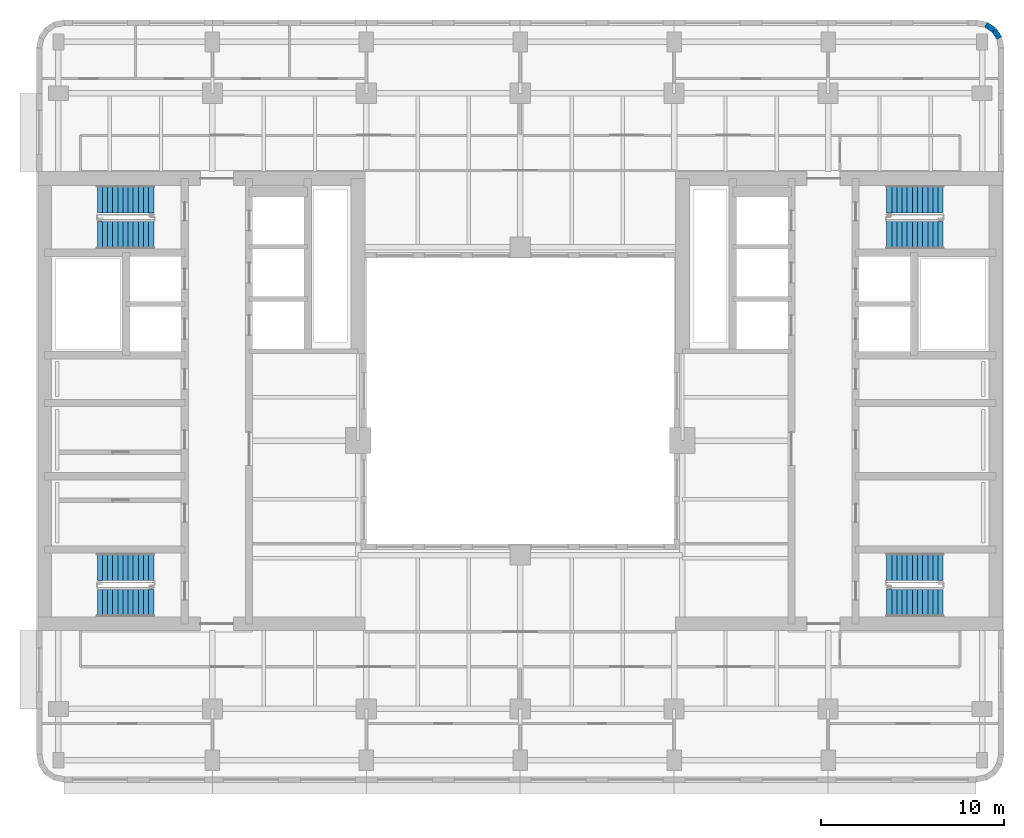
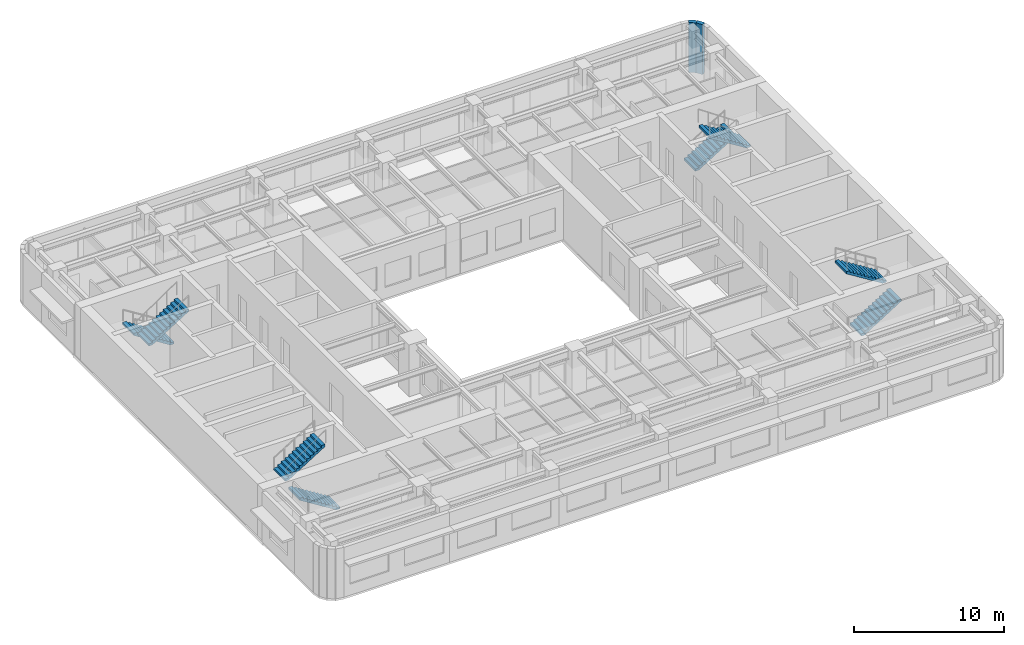
# One storey, part 8 of 11: 8 stair flights, 2 walls, 4 elements without a shape of their own.
"""IFC4 building model written with IfcOpenShell, lengths in metres."""

from ifc_helpers import new_model, si_unit, direction, frame, frame_2d, origin, place, context, subcontext, project, spatial, polyline, rectangle, outline, extrude, material, layer, layer_set, type_object, element, aggregate, save


model = new_model("IFC4")

# Units and contexts
model_context = context("Model", 3, precision=1e-05, world=origin(), true_north=direction((0.0, 1.0)))
body_context = subcontext(model_context, "Body", "Model", "MODEL_VIEW")
ifc_project = project(units=[si_unit("LENGTHUNIT", "METRE"), si_unit("AREAUNIT", "SQUARE_METRE"), si_unit("VOLUMEUNIT", "CUBIC_METRE"), si_unit("PLANEANGLEUNIT", "RADIAN"), si_unit("MASSUNIT", "GRAM", prefix="KILO")], contexts=[model_context])

# Site, building, storey
site_placement = place(None, origin())
site = spatial("IfcSite", under=ifc_project, at=site_placement, CompositionType="ELEMENT")
building_placement = place(site_placement, origin())
building = spatial("IfcBuilding", under=site, at=building_placement, Name="Claustro Exchange Tower", CompositionType="ELEMENT")
storey_placement = place(building_placement, frame((0.0, 0.0, 190.199951171875)))
storey = spatial("IfcBuildingStorey", under=building, at=storey_placement, Name="L43", CompositionType="ELEMENT", Elevation=190.199951171875)

# Walls
ifc_material_1 = material(Name="Concrete HA-40 (C40/50), precast, white cement, acid-etched", Category="concrete")
ifc_layer = layer(ifc_material_1, 0.300048828125)
ifc_layer_set = layer_set([ifc_layer], Name="Concrete HA-40 (C40/50), precast, white cement, acid-etched")
wall_type = type_object("IfcWallType", Name="PC1 300 precast concrete pier panel", PredefinedType="SOLIDWALL", material=ifc_layer_set)
wall_1_placement = place(storey_placement, frame((50.615478515625, 45.744384765625, 0.0), z_axis=(0.0, 0.0, 1.0), x_axis=(0.831692711774, -0.555236195849, 0.0)))
element("IfcWall", 1, at=wall_1_placement, inside=storey, type_object=wall_type, Name="Precast pier panel PC1 L43", PredefinedType="SOLIDWALL", context=body_context, shape_type="SweptSolid", body=[
    extrude(rectangle(XDim=0.525390625, YDim=0.300048828125, at=frame_2d((0.2626953125, 0.0))), origin(), (0.0, 0.0, 1.0), 4.050048828125),
])
wall_2_placement = place(storey_placement, frame((51.052490234375, 45.45263671875, 0.0), z_axis=(0.0, 0.0, 1.0), x_axis=(0.55534295404, -0.831621430339, 0.0)))
element("IfcWall", 2, at=wall_2_placement, inside=storey, type_object=wall_type, Name="Precast pier panel PC1 L43", PredefinedType="SOLIDWALL", context=body_context, shape_type="SweptSolid", body=[
    extrude(rectangle(XDim=0.52587890625, YDim=0.300048828125, at=frame_2d((0.262939453125, 0.0))), origin(), (0.0, 0.0, 1.0), 4.050048828125),
])

# Stair, stair flights
ifc_material_2 = material(Name="Concrete HA-30 (C30/37), precast", Category="concrete")
stair_type = type_object("IfcStairType", Name="ST1 half-turn stair, 24 risers of 175", PredefinedType="HALF_TURN_STAIR", material=ifc_material_2)
stair_1_placement = place(storey_placement, origin())
stair_1 = element("IfcStair", 3, at=stair_1_placement, inside=storey, type_object=stair_type, Name="Stair STWA L43", PredefinedType="HALF_TURN_STAIR")
ifc_material_3 = material(Name="Concrete HA-30 (C30/37), precast", Category="concrete")
stair_flight_type = type_object("IfcStairFlightType", Name="SF12A straight flight, 12 risers of 175, 1500 wide", PredefinedType="STRAIGHT", material=ifc_material_3)
stair_flight_1_placement = place(storey_placement, frame((5.199951171875, 14.175048828125, 0.0), z_axis=(0.0, 0.0, 1.0), x_axis=(-1.0, 0.0, 0.0)))
stair_flight_1 = element("IfcStairFlight", 4, at=stair_flight_1_placement, type_object=stair_flight_type, Name="STWA flight 1", NumberOfRisers=12, NumberOfTreads=11, PredefinedType="STRAIGHT", RiserHeight=0.175, TreadLength=0.28, context=body_context, shape_type="SweptSolid", body=[
    extrude(outline(polyline([(0.0, 0.0), (0.0, 0.175048828125), (0.280029296875, 0.175048828125), (0.280029296875, 0.35009765625), (0.56005859375, 0.35009765625), (0.56005859375, 0.52490234375), (0.840087890625, 0.52490234375), (0.840087890625, 0.699951171875), (1.1201171875, 0.699951171875), (1.1201171875, 0.875), (1.39990234375, 0.875), (1.39990234375, 1.050048828125), (1.679931640625, 1.050048828125), (1.679931640625, 1.22509765625), (1.9599609375, 1.22509765625), (1.9599609375, 1.39990234375), (2.239990234375, 1.39990234375), (2.239990234375, 1.574951171875), (2.52001953125, 1.574951171875), (2.52001953125, 1.75), (2.800048828125, 1.75), (2.800048828125, 1.925048828125), (3.080078125, 1.925048828125), (3.080078125, 2.10009765625), (3.080078125, 1.748291015625), (0.28271484375, 0.0), (0.0, 0.0)])), frame((0.0, 0.75, 0.0), z_axis=(0.0, -1.0, 0.0), x_axis=(1.0, 0.0, 0.0)), (0.0, 0.0, 1.0), 1.5),
])
stair_flight_2_placement = place(storey_placement, frame((2.1201171875, 16.14990234375, 2.10009765625), z_axis=(0.0, 0.0, 1.0), x_axis=(1.0, 0.0, 0.0)))
stair_flight_2 = element("IfcStairFlight", 5, at=stair_flight_2_placement, type_object=stair_flight_type, Name="STWA flight 2", NumberOfRisers=12, NumberOfTreads=11, PredefinedType="STRAIGHT", RiserHeight=0.175, TreadLength=0.28, context=body_context, shape_type="SweptSolid", body=[
    extrude(outline(polyline([(0.0, 0.0), (0.0, 0.175048828125), (0.280029296875, 0.175048828125), (0.280029296875, 0.35009765625), (0.56005859375, 0.35009765625), (0.56005859375, 0.52490234375), (0.840087890625, 0.52490234375), (0.840087890625, 0.699951171875), (1.1201171875, 0.699951171875), (1.1201171875, 0.875), (1.39990234375, 0.875), (1.39990234375, 1.050048828125), (1.679931640625, 1.050048828125), (1.679931640625, 1.22509765625), (1.9599609375, 1.22509765625), (1.9599609375, 1.39990234375), (2.239990234375, 1.39990234375), (2.239990234375, 1.574951171875), (2.52001953125, 1.574951171875), (2.52001953125, 1.75), (2.800048828125, 1.75), (2.800048828125, 1.925048828125), (3.080078125, 1.925048828125), (3.080078125, 2.10009765625), (3.080078125, 1.748291015625), (0.28271484375, 0.0), (0.0, 0.0)])), frame((0.0, 0.75, 0.0), z_axis=(0.0, -1.0, 0.0), x_axis=(1.0, 0.0, 0.0)), (0.0, 0.0, 1.0), 1.5),
])
aggregate(stair_1, [stair_flight_1, stair_flight_2])

stair_2_placement = place(storey_placement, origin())
stair_2 = element("IfcStair", 6, at=stair_2_placement, inside=storey, type_object=stair_type, Name="Stair STWB L43", PredefinedType="HALF_TURN_STAIR")
stair_flight_3_placement = place(storey_placement, frame((5.199951171875, 36.22509765625, 0.0), z_axis=(0.0, 0.0, 1.0), x_axis=(-1.0, 0.0, 0.0)))
stair_flight_3 = element("IfcStairFlight", 7, at=stair_flight_3_placement, type_object=stair_flight_type, Name="STWB flight 1", NumberOfRisers=12, NumberOfTreads=11, PredefinedType="STRAIGHT", RiserHeight=0.175, TreadLength=0.28, context=body_context, shape_type="SweptSolid", body=[
    extrude(outline(polyline([(0.0, 0.0), (0.0, 0.175048828125), (0.280029296875, 0.175048828125), (0.280029296875, 0.35009765625), (0.56005859375, 0.35009765625), (0.56005859375, 0.52490234375), (0.840087890625, 0.52490234375), (0.840087890625, 0.699951171875), (1.1201171875, 0.699951171875), (1.1201171875, 0.875), (1.39990234375, 0.875), (1.39990234375, 1.050048828125), (1.679931640625, 1.050048828125), (1.679931640625, 1.22509765625), (1.9599609375, 1.22509765625), (1.9599609375, 1.39990234375), (2.239990234375, 1.39990234375), (2.239990234375, 1.574951171875), (2.52001953125, 1.574951171875), (2.52001953125, 1.75), (2.800048828125, 1.75), (2.800048828125, 1.925048828125), (3.080078125, 1.925048828125), (3.080078125, 2.10009765625), (3.080078125, 1.748291015625), (0.28271484375, 0.0), (0.0, 0.0)])), frame((0.0, 0.75, 0.0), z_axis=(0.0, -1.0, 0.0), x_axis=(1.0, 0.0, 0.0)), (0.0, 0.0, 1.0), 1.5),
])
stair_flight_4_placement = place(storey_placement, frame((2.1201171875, 34.25, 2.10009765625), z_axis=(0.0, 0.0, 1.0), x_axis=(1.0, 0.0, 0.0)))
stair_flight_4 = element("IfcStairFlight", 8, at=stair_flight_4_placement, type_object=stair_flight_type, Name="STWB flight 2", NumberOfRisers=12, NumberOfTreads=11, PredefinedType="STRAIGHT", RiserHeight=0.175, TreadLength=0.28, context=body_context, shape_type="SweptSolid", body=[
    extrude(outline(polyline([(0.0, 0.0), (0.0, 0.175048828125), (0.280029296875, 0.175048828125), (0.280029296875, 0.35009765625), (0.56005859375, 0.35009765625), (0.56005859375, 0.52490234375), (0.840087890625, 0.52490234375), (0.840087890625, 0.699951171875), (1.1201171875, 0.699951171875), (1.1201171875, 0.875), (1.39990234375, 0.875), (1.39990234375, 1.050048828125), (1.679931640625, 1.050048828125), (1.679931640625, 1.22509765625), (1.9599609375, 1.22509765625), (1.9599609375, 1.39990234375), (2.239990234375, 1.39990234375), (2.239990234375, 1.574951171875), (2.52001953125, 1.574951171875), (2.52001953125, 1.75), (2.800048828125, 1.75), (2.800048828125, 1.925048828125), (3.080078125, 1.925048828125), (3.080078125, 2.10009765625), (3.080078125, 1.748291015625), (0.28271484375, 0.0), (0.0, 0.0)])), frame((0.0, 0.75, 0.0), z_axis=(0.0, -1.0, 0.0), x_axis=(1.0, 0.0, 0.0)), (0.0, 0.0, 1.0), 1.5),
])
aggregate(stair_2, [stair_flight_3, stair_flight_4])

stair_3_placement = place(storey_placement, origin())
stair_3 = element("IfcStair", 9, at=stair_3_placement, inside=storey, type_object=stair_type, Name="Stair STEA L43", PredefinedType="HALF_TURN_STAIR")
stair_flight_5_placement = place(storey_placement, frame((45.199951171875, 14.175048828125, 0.0), z_axis=(0.0, 0.0, 1.0), x_axis=(1.0, 0.0, 0.0)))
stair_flight_5 = element("IfcStairFlight", 10, at=stair_flight_5_placement, type_object=stair_flight_type, Name="STEA flight 1", NumberOfRisers=12, NumberOfTreads=11, PredefinedType="STRAIGHT", RiserHeight=0.175, TreadLength=0.28, context=body_context, shape_type="SweptSolid", body=[
    extrude(outline(polyline([(0.0, 0.0), (0.0, 0.175048828125), (0.280029296875, 0.175048828125), (0.280029296875, 0.35009765625), (0.56005859375, 0.35009765625), (0.56005859375, 0.52490234375), (0.840087890625, 0.52490234375), (0.840087890625, 0.699951171875), (1.1201171875, 0.699951171875), (1.1201171875, 0.875), (1.39990234375, 0.875), (1.39990234375, 1.050048828125), (1.679931640625, 1.050048828125), (1.679931640625, 1.22509765625), (1.9599609375, 1.22509765625), (1.9599609375, 1.39990234375), (2.239990234375, 1.39990234375), (2.239990234375, 1.574951171875), (2.52001953125, 1.574951171875), (2.52001953125, 1.75), (2.800048828125, 1.75), (2.800048828125, 1.925048828125), (3.080078125, 1.925048828125), (3.080078125, 2.10009765625), (3.080078125, 1.748291015625), (0.28271484375, 0.0), (0.0, 0.0)])), frame((0.0, 0.75, 0.0), z_axis=(0.0, -1.0, 0.0), x_axis=(1.0, 0.0, 0.0)), (0.0, 0.0, 1.0), 1.5),
])
stair_flight_6_placement = place(storey_placement, frame((48.280029296875, 16.14990234375, 2.10009765625), z_axis=(0.0, 0.0, 1.0), x_axis=(-1.0, 0.0, 0.0)))
stair_flight_6 = element("IfcStairFlight", 11, at=stair_flight_6_placement, type_object=stair_flight_type, Name="STEA flight 2", NumberOfRisers=12, NumberOfTreads=11, PredefinedType="STRAIGHT", RiserHeight=0.175, TreadLength=0.28, context=body_context, shape_type="SweptSolid", body=[
    extrude(outline(polyline([(0.0, 0.0), (0.0, 0.175048828125), (0.280029296875, 0.175048828125), (0.280029296875, 0.35009765625), (0.56005859375, 0.35009765625), (0.56005859375, 0.52490234375), (0.840087890625, 0.52490234375), (0.840087890625, 0.699951171875), (1.1201171875, 0.699951171875), (1.1201171875, 0.875), (1.39990234375, 0.875), (1.39990234375, 1.050048828125), (1.679931640625, 1.050048828125), (1.679931640625, 1.22509765625), (1.9599609375, 1.22509765625), (1.9599609375, 1.39990234375), (2.239990234375, 1.39990234375), (2.239990234375, 1.574951171875), (2.52001953125, 1.574951171875), (2.52001953125, 1.75), (2.800048828125, 1.75), (2.800048828125, 1.925048828125), (3.080078125, 1.925048828125), (3.080078125, 2.10009765625), (3.080078125, 1.748291015625), (0.28271484375, 0.0), (0.0, 0.0)])), frame((0.0, 0.75, 0.0), z_axis=(0.0, -1.0, 0.0), x_axis=(1.0, 0.0, 0.0)), (0.0, 0.0, 1.0), 1.5),
])
aggregate(stair_3, [stair_flight_5, stair_flight_6])

stair_4_placement = place(storey_placement, origin())
stair_4 = element("IfcStair", 12, at=stair_4_placement, inside=storey, type_object=stair_type, Name="Stair STEB L43", PredefinedType="HALF_TURN_STAIR")
stair_flight_7_placement = place(storey_placement, frame((45.199951171875, 36.22509765625, 0.0), z_axis=(0.0, 0.0, 1.0), x_axis=(1.0, 0.0, 0.0)))
stair_flight_7 = element("IfcStairFlight", 13, at=stair_flight_7_placement, type_object=stair_flight_type, Name="STEB flight 1", NumberOfRisers=12, NumberOfTreads=11, PredefinedType="STRAIGHT", RiserHeight=0.175, TreadLength=0.28, context=body_context, shape_type="SweptSolid", body=[
    extrude(outline(polyline([(0.0, 0.0), (0.0, 0.175048828125), (0.280029296875, 0.175048828125), (0.280029296875, 0.35009765625), (0.56005859375, 0.35009765625), (0.56005859375, 0.52490234375), (0.840087890625, 0.52490234375), (0.840087890625, 0.699951171875), (1.1201171875, 0.699951171875), (1.1201171875, 0.875), (1.39990234375, 0.875), (1.39990234375, 1.050048828125), (1.679931640625, 1.050048828125), (1.679931640625, 1.22509765625), (1.9599609375, 1.22509765625), (1.9599609375, 1.39990234375), (2.239990234375, 1.39990234375), (2.239990234375, 1.574951171875), (2.52001953125, 1.574951171875), (2.52001953125, 1.75), (2.800048828125, 1.75), (2.800048828125, 1.925048828125), (3.080078125, 1.925048828125), (3.080078125, 2.10009765625), (3.080078125, 1.748291015625), (0.28271484375, 0.0), (0.0, 0.0)])), frame((0.0, 0.75, 0.0), z_axis=(0.0, -1.0, 0.0), x_axis=(1.0, 0.0, 0.0)), (0.0, 0.0, 1.0), 1.5),
])
stair_flight_8_placement = place(storey_placement, frame((48.280029296875, 34.25, 2.10009765625), z_axis=(0.0, 0.0, 1.0), x_axis=(-1.0, 0.0, 0.0)))
stair_flight_8 = element("IfcStairFlight", 14, at=stair_flight_8_placement, type_object=stair_flight_type, Name="STEB flight 2", NumberOfRisers=12, NumberOfTreads=11, PredefinedType="STRAIGHT", RiserHeight=0.175, TreadLength=0.28, context=body_context, shape_type="SweptSolid", body=[
    extrude(outline(polyline([(0.0, 0.0), (0.0, 0.175048828125), (0.280029296875, 0.175048828125), (0.280029296875, 0.35009765625), (0.56005859375, 0.35009765625), (0.56005859375, 0.52490234375), (0.840087890625, 0.52490234375), (0.840087890625, 0.699951171875), (1.1201171875, 0.699951171875), (1.1201171875, 0.875), (1.39990234375, 0.875), (1.39990234375, 1.050048828125), (1.679931640625, 1.050048828125), (1.679931640625, 1.22509765625), (1.9599609375, 1.22509765625), (1.9599609375, 1.39990234375), (2.239990234375, 1.39990234375), (2.239990234375, 1.574951171875), (2.52001953125, 1.574951171875), (2.52001953125, 1.75), (2.800048828125, 1.75), (2.800048828125, 1.925048828125), (3.080078125, 1.925048828125), (3.080078125, 2.10009765625), (3.080078125, 1.748291015625), (0.28271484375, 0.0), (0.0, 0.0)])), frame((0.0, 0.75, 0.0), z_axis=(0.0, -1.0, 0.0), x_axis=(1.0, 0.0, 0.0)), (0.0, 0.0, 1.0), 1.5),
])
aggregate(stair_4, [stair_flight_7, stair_flight_8])

save(model, "model.ifc")
